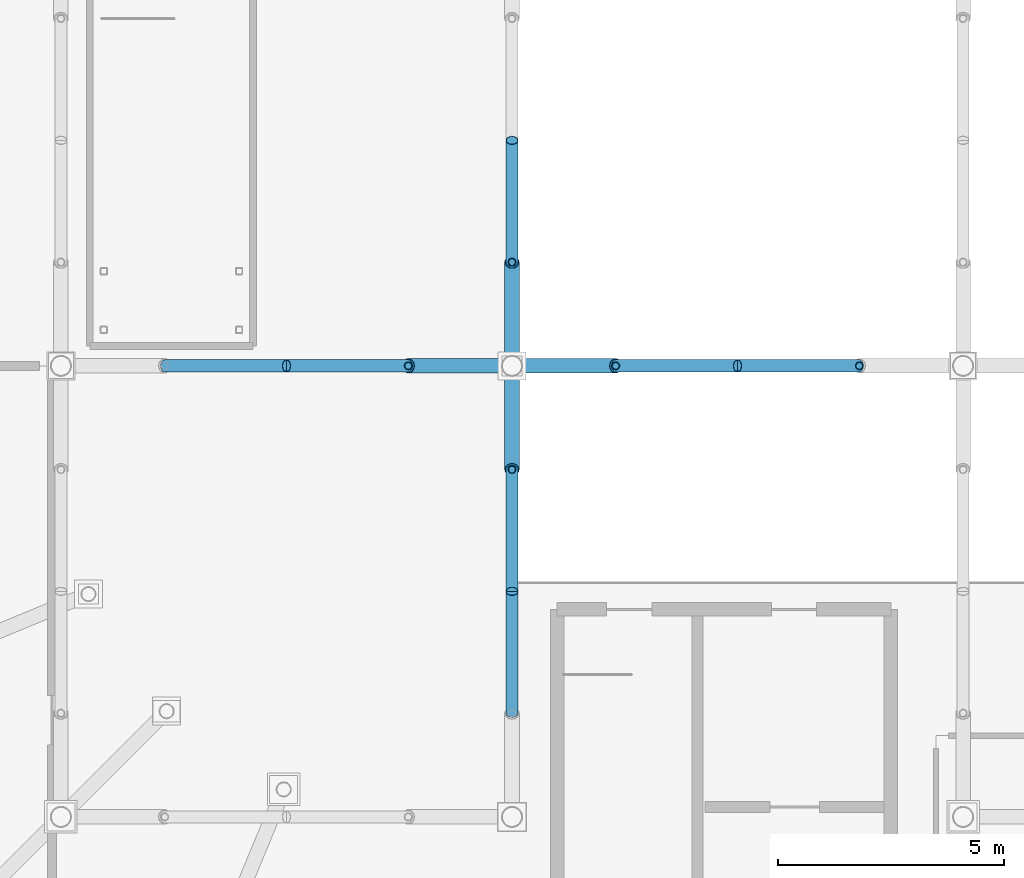
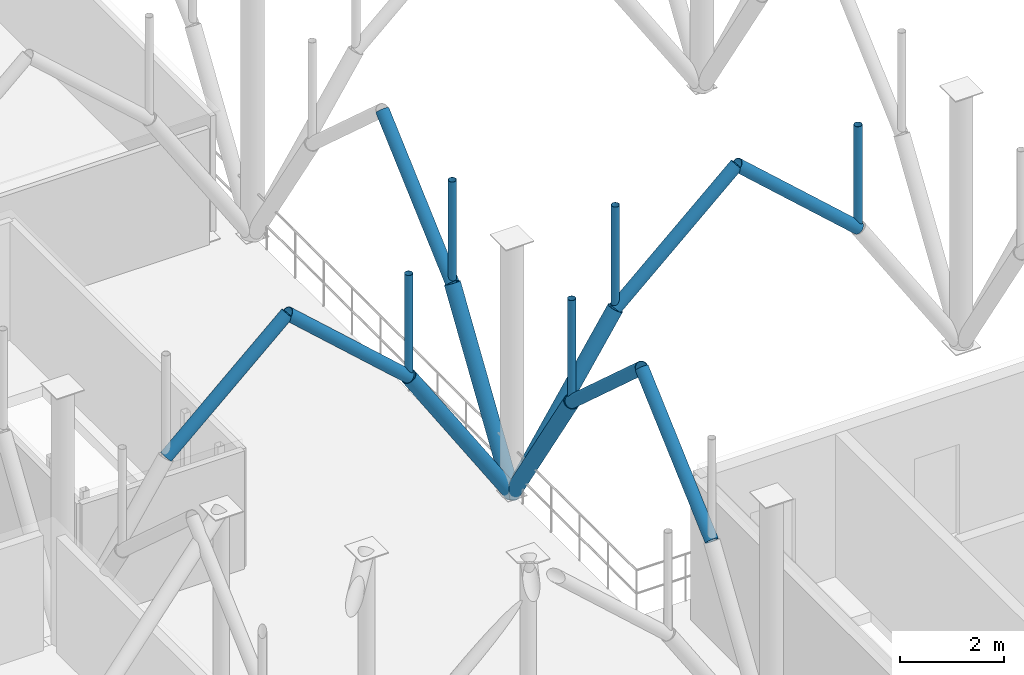
# One storey, part 33 of 109: 16 members.
"""IFC4 building model written with IfcOpenShell, lengths in metres."""

from ifc_helpers import new_model, si_unit, derived_unit, direction, frame, origin, origin_2d_with_axis, place, context, subcontext, project, spatial, hollow_circle, extrude, material, material_profile, profile_set, type_object, element, save


model = new_model("IFC4")

# Units and contexts
model_context = context("Model", 3, precision=1e-05, world=origin(), true_north=direction((0.0, 1.0)))
body_context = subcontext(model_context, "Body", "Model", "MODEL_VIEW")
ifc_project = project(units=[si_unit("LENGTHUNIT", "METRE"), si_unit("AREAUNIT", "SQUARE_METRE"), si_unit("VOLUMEUNIT", "CUBIC_METRE"), si_unit("PLANEANGLEUNIT", "RADIAN"), si_unit("MASSUNIT", "GRAM", prefix="KILO"), derived_unit("THERMALTRANSMITTANCEUNIT", [(si_unit("POWERUNIT", "WATT"), 1), (si_unit("LENGTHUNIT", "METRE"), -2), (si_unit("THERMODYNAMICTEMPERATUREUNIT", "KELVIN"), -1)])], contexts=[model_context])

# Site, building, storey
site_placement = place(None, origin())
site = spatial("IfcSite", under=ifc_project, at=site_placement, CompositionType="ELEMENT")
building_placement = place(site_placement, origin())
building = spatial("IfcBuilding", under=site, at=building_placement, Name="Cinnabar Yard Market Hall", CompositionType="ELEMENT")
storey_placement = place(building_placement, frame((0.0, 0.0, 8.39990234375)))
storey = spatial("IfcBuildingStorey", under=building, at=storey_placement, Name="L02", CompositionType="ELEMENT", Elevation=8.39990234375)

# Members
ifc_material_1 = material(Name="Spotted-gum glulam-clad steel Grade 350 (350 MPa)", Category="steel")
ifc_material_profile_1 = material_profile(ifc_material_1, hollow_circle(Radius=0.136474609375, WallThickness=0.00927734375, at=origin_2d_with_axis()), Name="273.1x9.3CHS")
ifc_profile_set_1 = profile_set([ifc_material_profile_1], Name="Spotted-gum glulam-clad steel Grade 350 (350 MPa)")
member_type_1 = type_object("IfcMemberType", Name="MB-AR01", PredefinedType="USERDEFINED", material=ifc_profile_set_1)
for number, where, z_axis, x_axis, name in (
    (1, (78.300048828125, 34.0, 3.550048828125), (0.743297488271, 0.0, 0.668961018244), (0.0, 1.0, 0.0), "Pointed Arch Rib 0003"),
    (2, (86.0, 26.300048828125, 3.550048828125), (0.0, 0.743297488271, 0.668961018244), (-1.0, 0.0, 0.0), "Pointed Arch Rib 0015"),
    (3, (88.300048828125, 34.0, 3.550048828125), (0.743297488271, 0.0, 0.668961018244), (0.0, 1.0, 0.0), "Pointed Arch Rib 0016"),
    (4, (83.699951171875, 34.0, 3.550048828125), (-0.743297488271, 0.0, 0.668961018244), (0.0, -1.0, 0.0), "Pointed Arch Rib 0017"),
    (5, (86.0, 36.300048828125, 3.550048828125), (0.0, 0.743297488271, 0.668961018244), (-1.0, 0.0, 0.0), "Pointed Arch Rib 0018"),
    (6, (86.0, 31.699951171875, 3.550048828125), (0.0, -0.743297488271, 0.668961018244), (1.0, 0.0, 0.0), "Pointed Arch Rib 0019"),
    (7, (93.699951171875, 34.0, 3.550048828125), (-0.743297488271, 0.0, 0.668961018244), (0.0, -1.0, 0.0), "Pointed Arch Rib 0033"),
):
    element("IfcMember", number, at=place(storey_placement, frame(where, z_axis=z_axis, x_axis=x_axis)), inside=storey, type_object=member_type_1, Name=name, ObjectType="ARCH RIB", PredefinedType="USERDEFINED", context=body_context, shape_type="SweptSolid", body=[
        extrude(hollow_circle(Radius=0.136474609375, WallThickness=0.00927734375, at=origin_2d_with_axis()), origin(), (0.0, 0.0, 1.0), 3.63232421875),
    ])
ifc_material_profile_2 = material_profile(ifc_material_1, hollow_circle(Radius=0.161865234375, WallThickness=0.009521484375, at=origin_2d_with_axis()), Name="323.9x9.5CHS")
ifc_profile_set_2 = profile_set([ifc_material_profile_2], Name="Spotted-gum glulam-clad steel Grade 350 (350 MPa)")
member_type_2 = type_object("IfcMemberType", Name="MB-ST01", PredefinedType="STRUT", material=ifc_profile_set_2)
for number, where, z_axis, x_axis, name in (
    (8, (86.0, 34.0, 0.0), (0.543744165176, 0.0, 0.839251024925), (0.0, 1.0, 0.0), "Curved Branch Arm Lower 0016"),
    (9, (86.0, 34.0, 0.0), (-0.543744165176, 0.0, 0.839251024925), (0.0, -1.0, 0.0), "Curved Branch Arm Lower 0017"),
    (10, (86.0, 34.0, 0.0), (0.0, 0.543744165176, 0.839251024925), (-1.0, 0.0, 0.0), "Curved Branch Arm Lower 0018"),
    (11, (86.0, 34.0, 0.0), (0.0, -0.543744165176, 0.839251024925), (1.0, 0.0, 0.0), "Curved Branch Arm Lower 0019"),
):
    element("IfcMember", number, at=place(storey_placement, frame(where, z_axis=z_axis, x_axis=x_axis)), inside=storey, type_object=member_type_2, Name=name, PredefinedType="STRUT", context=body_context, shape_type="SweptSolid", body=[
        extrude(hollow_circle(Radius=0.161865234375, WallThickness=0.009521484375, at=origin_2d_with_axis()), origin(), (0.0, 0.0, 1.0), 4.22998046875),
    ])
ifc_material_2 = material(Name="Cold-formed steel C350L0", Category="steel")
ifc_material_profile_3 = material_profile(ifc_material_2, hollow_circle(Radius=0.084228515625, WallThickness=0.00634765625, at=origin_2d_with_axis()), Name="168.3x6.4CHS")
ifc_profile_set_3 = profile_set([ifc_material_profile_3], Name="Cold-formed steel C350L0")
member_type_3 = type_object("IfcMemberType", Name="MB-WB01", PredefinedType="STRUT", material=ifc_profile_set_3)
for number, where, z_axis, x_axis, name in (
    (12, (88.300048828125, 34.0, 3.550048828125), (0.0, 0.0, 1.0), (1.0, 0.0, 0.0), "Arch Spandrel Post 0016"),
    (13, (83.699951171875, 34.0, 3.550048828125), (0.0, 0.0, 1.0), (1.0, 0.0, 0.0), "Arch Spandrel Post 0017"),
    (14, (86.0, 36.300048828125, 3.550048828125), (0.0, 0.0, 1.0), (1.0, 0.0, 0.0), "Arch Spandrel Post 0018"),
    (15, (86.0, 31.699951171875, 3.550048828125), (0.0, 0.0, 1.0), (1.0, 0.0, 0.0), "Arch Spandrel Post 0019"),
    (16, (93.699951171875, 34.0, 3.550048828125), (0.0, 0.0, 1.0), (1.0, 0.0, 0.0), "Arch Spandrel Post 0033"),
):
    element("IfcMember", number, at=place(storey_placement, frame(where, z_axis=z_axis, x_axis=x_axis)), inside=storey, type_object=member_type_3, Name=name, PredefinedType="STRUT", context=body_context, shape_type="SweptSolid", body=[
        extrude(hollow_circle(Radius=0.084228515625, WallThickness=0.00634765625, at=origin_2d_with_axis()), origin(), (0.0, 0.0, 1.0), 2.429931640625),
    ])

save(model, "model.ifc")
